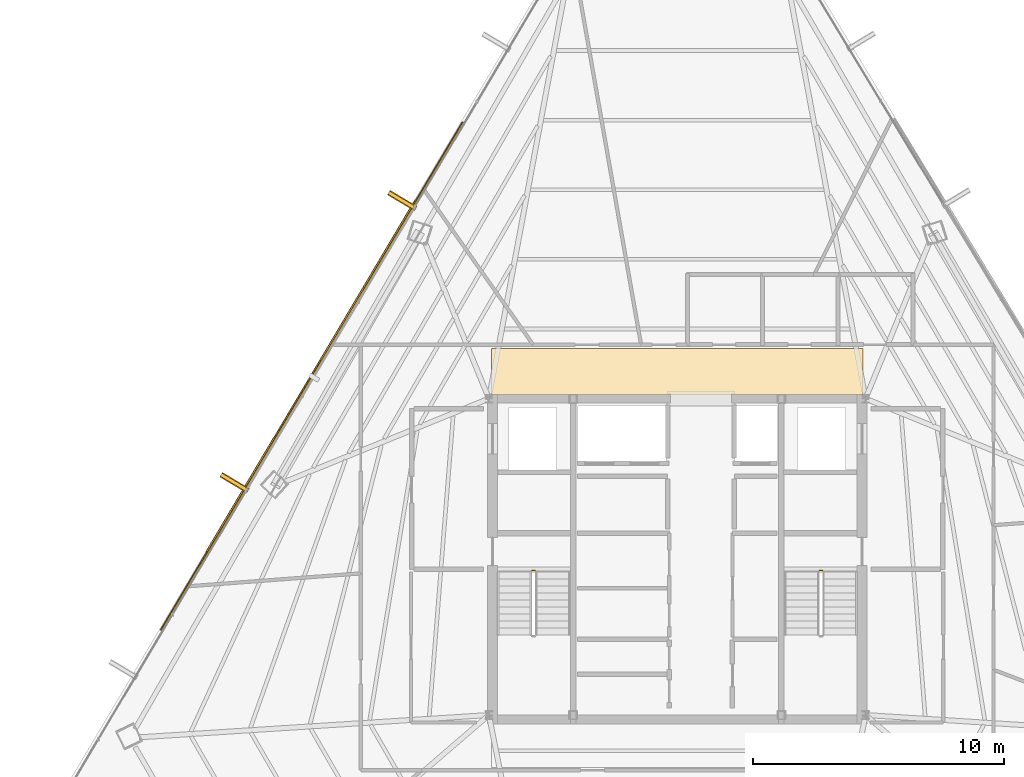
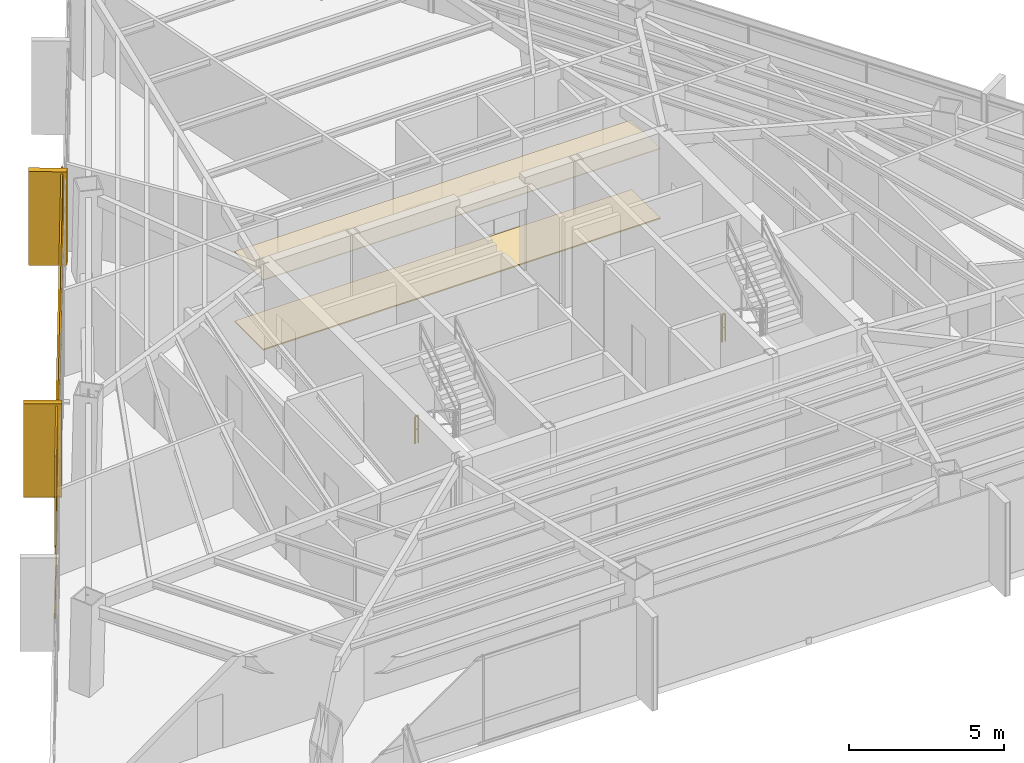
# One storey, part 46 of 47: 5 coverings, 3 shading devices, 2 railings.
"""IFC4 building model written with IfcOpenShell, lengths in metres."""

from ifc_helpers import new_model, si_unit, direction, frame, origin, origin_2d, place, context, subcontext, project, spatial, polyline, rectangle, outline, extrude, source, transform, mapped, material, layer, layer_set, type_object, type_shapes, element, save


model = new_model("IFC4")

# Units and contexts
model_context = context("Model", 3, precision=1e-05, world=origin(), true_north=direction((0.0, 1.0)))
body_context = subcontext(model_context, "Body", "Model", "MODEL_VIEW")
ifc_project = project(units=[si_unit("LENGTHUNIT", "METRE"), si_unit("AREAUNIT", "SQUARE_METRE"), si_unit("VOLUMEUNIT", "CUBIC_METRE"), si_unit("PLANEANGLEUNIT", "RADIAN"), si_unit("MASSUNIT", "GRAM", prefix="KILO")], contexts=[model_context])

# Site, building, storey
site_placement = place(None, origin())
site = spatial("IfcSite", under=ifc_project, at=site_placement, CompositionType="ELEMENT")
building_placement = place(site_placement, origin())
building = spatial("IfcBuilding", under=site, at=building_placement, Name="Caelisora Broadcast Tower", CompositionType="ELEMENT")
storey_placement = place(building_placement, frame((0.0, 0.0, 229.85009765625)))
storey = spatial("IfcBuildingStorey", under=building, at=storey_placement, Name="L60", CompositionType="ELEMENT", Elevation=229.85009765625)

# Coverings
ifc_material_1 = material(Name="Perforated Mineral-Fibre Acoustic Ceiling Tile", Category="gypsum")
ifc_layer_1 = layer(ifc_material_1, 0.034912109375, Name="Perforated Mineral-Fibre Acoustic Ceiling Tile")
ifc_layer_set_1 = layer_set([ifc_layer_1], Name="Perforated Mineral-Fibre Acoustic Ceiling Tile")
covering_type_1 = type_object("IfcCoveringType", Name="CE-1", PredefinedType="CEILING", material=ifc_layer_set_1)
covering_1_placement = place(storey_placement, frame((0.0, 0.0, 2.75)))
element("IfcCovering", 1, at=covering_1_placement, inside=storey, type_object=covering_type_1, Name="L60 acoustic corridor ceiling CE-1 (N)", PredefinedType="CEILING", context=body_context, shape_type="SweptSolid", body=[
    extrude(outline(polyline([(30.60009765625, 30.14990234375), (45.39990234375, 30.14990234375), (45.39990234375, 32.0), (30.60009765625, 32.0), (30.60009765625, 30.14990234375)])), origin(), (0.0, 0.0, 1.0), 0.034912109375),
])
ifc_material_2 = material(Name="Anti-Static Broadcast Raised Access Floor Panel", Category="steel")
ifc_layer_2 = layer(ifc_material_2, 0.044921875, Name="Anti-Static Broadcast Raised Access Floor Panel")
ifc_layer_set_2 = layer_set([ifc_layer_2], Name="Anti-Static Broadcast Raised Access Floor Panel")
covering_type_2 = type_object("IfcCoveringType", Name="FL-1", PredefinedType="FLOORING", material=ifc_layer_set_2)
covering_2_placement = place(storey_placement, origin())
element("IfcCovering", 2, at=covering_2_placement, inside=storey, type_object=covering_type_2, Name="L60 broadcast raised access floor FL-1 (N)", PredefinedType="FLOORING", context=body_context, shape_type="SweptSolid", body=[
    extrude(outline(polyline([(30.60009765625, 30.14990234375), (45.39990234375, 30.14990234375), (45.39990234375, 32.0), (30.60009765625, 32.0), (30.60009765625, 30.14990234375)])), origin(), (0.0, 0.0, 1.0), 0.044921875),
])

# Railings
ifc_material_3 = material(Name="Galvanised Steel Safety Guardrail", Category="steel")
ifc_layer_3 = layer(ifc_material_3, 0.048095703125, Name="Galvanised Steel Safety Guardrail")
ifc_layer_set_3 = layer_set([ifc_layer_3], Name="Galvanised Steel Safety Guardrail")
railing_type = type_object("IfcRailingType", Name="GR-1", PredefinedType="GUARDRAIL", material=ifc_layer_set_3)
for number, where, name in (
    (3, (32.219970703125, 23.14990234375, 0.0), "L60 ST-1 stair guard 4"),
    (4, (43.659912109375, 23.14990234375, 0.0), "L60 ST-2 stair guard 4"),
):
    element("IfcRailing", number, at=place(storey_placement, frame(where)), inside=storey, type_object=railing_type, Name=name, PredefinedType="GUARDRAIL", context=body_context, shape_type="SweptSolid", body=[
        extrude(rectangle(XDim=0.048095703125, YDim=0.048095703125, at=origin_2d()), frame((0.0, 0.0, 1.076171875), z_axis=(1.0, 0.0, 0.0), x_axis=(0.0, 1.0, 0.0)), (0.0, 0.0, 1.0), 0.1201171875),
        extrude(rectangle(XDim=0.03125, YDim=0.03125, at=origin_2d()), frame((0.0, 0.0, 0.550048828125), z_axis=(1.0, 0.0, 0.0), x_axis=(0.0, 1.0, 0.0)), (0.0, 0.0, 1.0), 0.1201171875),
        extrude(rectangle(XDim=0.0419921875, YDim=0.0419921875, at=origin_2d()), origin(), (0.0, 0.0, 1.0), 1.052001953125),
        extrude(rectangle(XDim=0.0419921875, YDim=0.0419921875, at=origin_2d()), frame((0.1201171875, 0.0, 0.0)), (0.0, 0.0, 1.0), 1.052001953125),
    ])

# Coverings
ifc_material_4 = material(Name="Kiln-Fired Terracotta Spandrel Rainscreen Cladding", Category="ceramic")
ifc_layer_4 = layer(ifc_material_4, 0.044921875, Name="Kiln-Fired Terracotta Spandrel Rainscreen Cladding")
ifc_layer_set_4 = layer_set([ifc_layer_4], Name="Kiln-Fired Terracotta Spandrel Rainscreen Cladding")
covering_type_3 = type_object("IfcCoveringType", Name="CL-1", PredefinedType="CLADDING", material=ifc_layer_set_4)
shared_shape_1 = source(origin(), body_context, "Body", "SweptSolid", [
    extrude(rectangle(XDim=0.219970703125, YDim=1.25, at=origin_2d()), origin(), (0.0, 0.0, 1.0), 3.68994140625),
])
for number, where, z_axis, x_axis, name in (
    (5, (20.36865234375, 26.6533203125, -0.02001953125), (0.0, 0.0, 1.0), (0.510843031866, 0.859674006117, 0.0), "L60 vertical solar fin cladding #3-2"),
    (6, (27.04541015625, 37.88916015625, -0.02001953125), (0.0, 0.0, 1.0), (0.510843031866, 0.859674006117, 0.0), "L60 vertical solar fin cladding #3-3"),
):
    element("IfcCovering", number, at=place(storey_placement, frame(where, z_axis=z_axis, x_axis=x_axis)), inside=storey, type_object=covering_type_3, Name=name, PredefinedType="CLADDING", context=body_context, shape_type="MappedRepresentation", body=[
        mapped(shared_shape_1, transform((0.0, 0.0, 0.0), scale=1.0)),
    ])

# Shading devices
ifc_material_5 = material(Name="Extruded Terracotta Flaring Colonnade Fin", Category="ceramic")
ifc_layer_5 = layer(ifc_material_5, 0.139892578125, Name="Extruded Terracotta Flaring Colonnade Fin")
ifc_layer_set_5 = layer_set([ifc_layer_5], Name="Extruded Terracotta Flaring Colonnade Fin")
shading_device_type_1 = type_object("IfcShadingDeviceType", Name="FN-1", PredefinedType="USERDEFINED", material=ifc_layer_set_5)
shared_shape_2 = source(origin(), body_context, "Body", "SweptSolid", [
    extrude(rectangle(XDim=0.139892578125, YDim=1.25, at=origin_2d()), origin(), (0.0, 0.0, 1.0), 3.669921875),
])
type_shapes(shading_device_type_1, [shared_shape_2])
for number, where, z_axis, x_axis, name in (
    (7, (20.36865234375, 26.6533203125, -0.010009765625), (0.0, 0.0, 1.0), (0.510843031866, 0.859674006117, 0.0), "L60 vertical terracotta fin #3-2"),
    (8, (27.04541015625, 37.88916015625, -0.010009765625), (0.0, 0.0, 1.0), (0.510843031866, 0.859674006117, 0.0), "L60 vertical terracotta fin #3-3"),
):
    element("IfcShadingDevice", number, at=place(storey_placement, frame(where, z_axis=z_axis, x_axis=x_axis)), inside=storey, type_object=shading_device_type_1, Name=name, ObjectType="FIN", PredefinedType="USERDEFINED", context=body_context, shape_type="MappedRepresentation", body=[
        mapped(shared_shape_2, transform((0.0, 0.0, 0.0), scale=1.0)),
    ])
ifc_material_6 = material(Name="Perforated Glazed Terracotta Baguette Solar Screen", Category="ceramic")
ifc_layer_6 = layer(ifc_material_6, 0.06494140625, Name="Perforated Glazed Terracotta Baguette Solar Screen")
ifc_layer_set_6 = layer_set([ifc_layer_6], Name="Perforated Glazed Terracotta Baguette Solar Screen")
shading_device_type_2 = type_object("IfcShadingDeviceType", Name="SS-1", PredefinedType="USERDEFINED", material=ifc_layer_set_6)
shared_shape_3 = source(origin(), body_context, "Body", "SweptSolid", [
    extrude(rectangle(XDim=16.2958984375, YDim=0.06494140625, at=origin_2d()), origin(), (0.0, 0.0, 1.0), 3.590087890625),
])
type_shapes(shading_device_type_2, [shared_shape_3])
shading_device_placement = place(storey_placement, frame((23.42138671875, 30.90966796875, 0.0), z_axis=(0.0, 0.0, 1.0), x_axis=(-0.510843031866, -0.859674006117, 0.0)))
element("IfcShadingDevice", 9, at=shading_device_placement, inside=storey, type_object=shading_device_type_2, Name="L60 perforated terracotta solar screen #1", ObjectType="SOLAR SCREEN", PredefinedType="USERDEFINED", context=body_context, shape_type="MappedRepresentation", body=[
    mapped(shared_shape_3, transform((0.0, 0.0, 0.0), scale=1.0)),
])

# Covering
shared_shape_4 = source(origin(), body_context, "Body", "SweptSolid", [
    extrude(rectangle(XDim=23.5380859375, YDim=0.044921875, at=origin_2d()), origin(), (0.0, 0.0, 1.0), 0.340087890625),
])
type_shapes(covering_type_3, [shared_shape_1, shared_shape_4])
covering_3_placement = place(storey_placement, frame((23.438720703125, 30.8994140625, -0.27001953125), z_axis=(0.0, 0.0, 1.0), x_axis=(-0.510843031866, -0.859674006117, 0.0)))
element("IfcCovering", 10, at=covering_3_placement, inside=storey, type_object=covering_type_3, Name="L60 terracotta spandrel rainscreen #1", PredefinedType="CLADDING", context=body_context, shape_type="MappedRepresentation", body=[
    mapped(shared_shape_4, transform((0.0, 0.0, 0.0), scale=1.0)),
])

save(model, "model.ifc")
